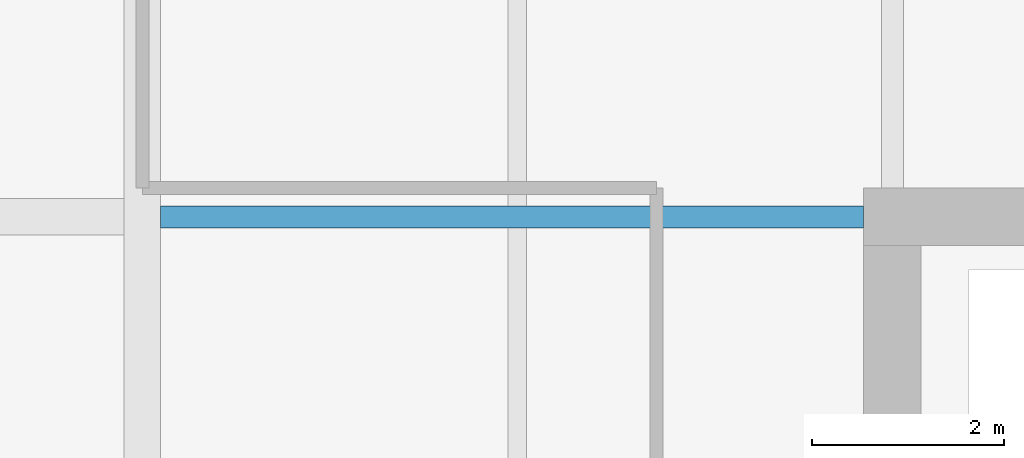
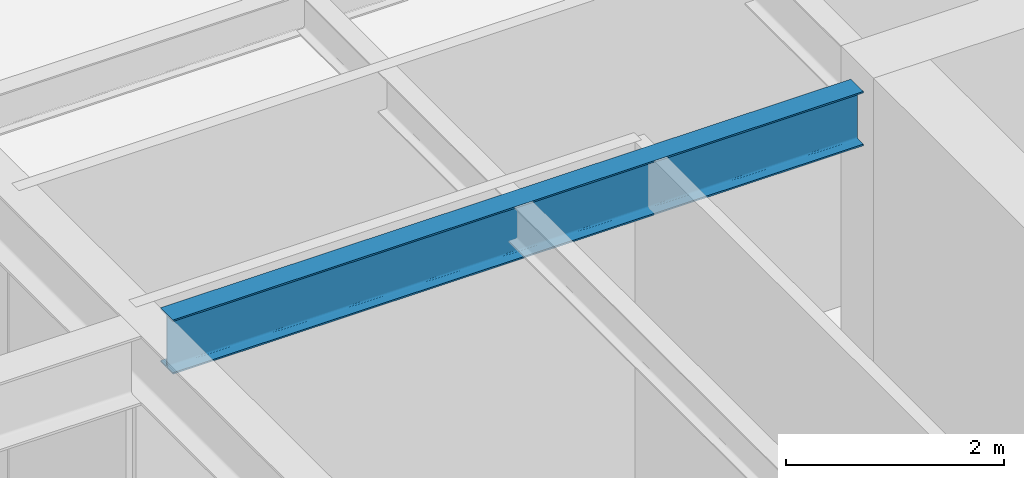
# One storey, part 17 of 33: 1 beam.
"""IFC4 building model written with IfcOpenShell, lengths in metres."""

from ifc_helpers import new_model, si_unit, direction, frame, origin, origin_2d, place, context, subcontext, project, spatial, i_section, extrude, material, material_profile, profile_set, type_object, element, save


model = new_model("IFC4")

# Units and contexts
model_context = context("Model", 3, precision=1e-05, world=origin(), true_north=direction((0.0, 1.0)))
body_context = subcontext(model_context, "Body", "Model", "MODEL_VIEW")
ifc_project = project(units=[si_unit("LENGTHUNIT", "METRE"), si_unit("AREAUNIT", "SQUARE_METRE"), si_unit("VOLUMEUNIT", "CUBIC_METRE"), si_unit("PLANEANGLEUNIT", "RADIAN"), si_unit("MASSUNIT", "GRAM", prefix="KILO")], contexts=[model_context])

# Site, building, storey
site_placement = place(None, origin())
site = spatial("IfcSite", under=ifc_project, at=site_placement, CompositionType="ELEMENT")
building_placement = place(site_placement, origin())
building = spatial("IfcBuilding", under=site, at=building_placement, Name="Drelvath Grand Hotel", CompositionType="ELEMENT")
storey_placement = place(building_placement, frame((0.0, 0.0, 87.199951171875)))
storey = spatial("IfcBuildingStorey", under=building, at=storey_placement, Name="L21", CompositionType="ELEMENT", Elevation=87.199951171875)

# Beam
ifc_material = material(Name="Steel ASTM A992 Gr 50", Category="steel")
ifc_material_profile = material_profile(ifc_material, i_section(OverallWidth=0.228271484375, OverallDepth=0.607666015625, WebThickness=0.01123046875, FlangeThickness=0.017333984375, FilletRadius=0.02001953125, at=origin_2d()), Name="W24X76")
ifc_profile_set = profile_set([ifc_material_profile], Name="Steel ASTM A992 Gr 50")
beam_type = type_object("IfcBeamType", Name="Primary Floor Girder W24X76", PredefinedType="BEAM", material=ifc_profile_set)
beam_placement = place(storey_placement, frame((-16.009765625, 35.39990234375, 4.0361328125), z_axis=(1.0, 0.0, 0.0), x_axis=(0.0, 1.0, 0.0)))
element("IfcBeam", 1, at=beam_placement, inside=storey, type_object=beam_type, Name="L21 West Core Tie F", PredefinedType="BEAM", context=body_context, shape_type="SweptSolid", body=[
    extrude(i_section(OverallWidth=0.228271484375, OverallDepth=0.607666015625, WebThickness=0.01123046875, FlangeThickness=0.017333984375, FilletRadius=0.02001953125, at=origin_2d()), origin(), (0.0, 0.0, 1.0), 7.309814453125),
])

save(model, "model.ifc")
